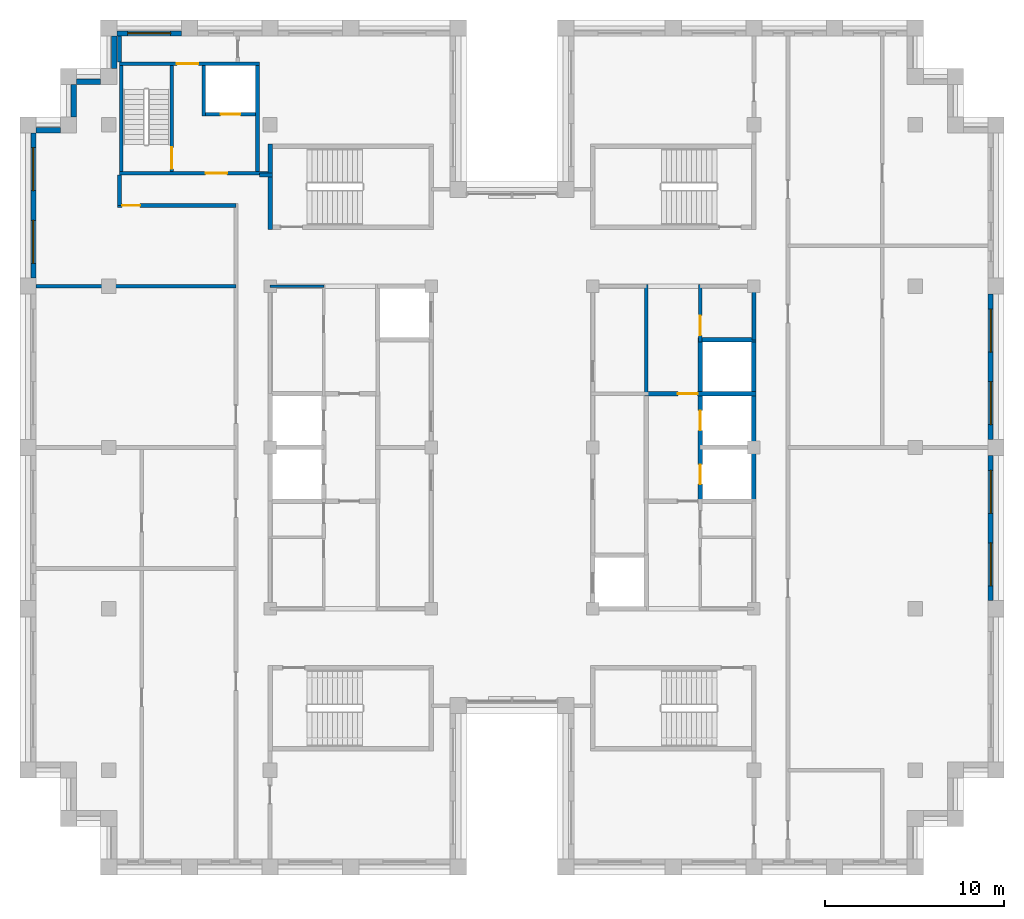
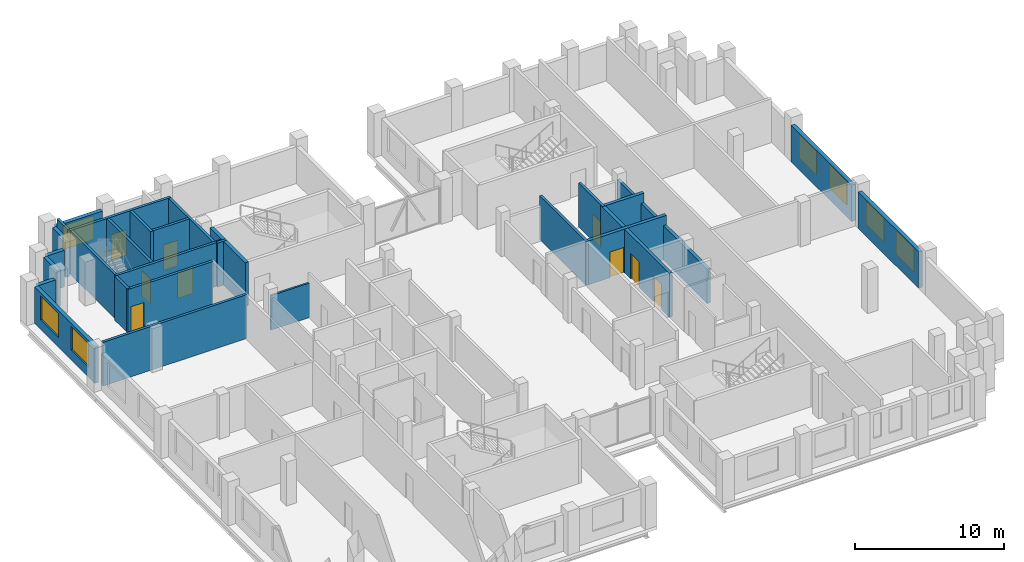
# One storey, part 9 of 13: 29 walls, 9 doors, 7 windows, 16 openings.
"""IFC4 building model written with IfcOpenShell, lengths in metres."""

from ifc_helpers import new_model, si_unit, direction, frame, frame_2d, origin, place, context, subcontext, project, spatial, rectangle, extrude, material, layer, layer_set, type_object, element, fill, save


model = new_model("IFC4")

# Units and contexts
model_context = context("Model", 3, precision=1e-05, world=origin(), true_north=direction((0.0, 1.0)))
body_context = subcontext(model_context, "Body", "Model", "MODEL_VIEW")
ifc_project = project(units=[si_unit("LENGTHUNIT", "METRE"), si_unit("AREAUNIT", "SQUARE_METRE"), si_unit("VOLUMEUNIT", "CUBIC_METRE"), si_unit("PLANEANGLEUNIT", "RADIAN"), si_unit("MASSUNIT", "GRAM", prefix="KILO")], contexts=[model_context])

# Site, building, storey
site_placement = place(None, origin())
site = spatial("IfcSite", under=ifc_project, at=site_placement, CompositionType="ELEMENT")
building_placement = place(site_placement, origin())
building = spatial("IfcBuilding", under=site, at=building_placement, Name="Corbelhall Arena Tower", CompositionType="ELEMENT")
storey_placement = place(building_placement, frame((0.0, 0.0, 316.0)))
storey = spatial("IfcBuildingStorey", under=building, at=storey_placement, Name="L69", CompositionType="ELEMENT", Elevation=316.0)

# Walls
ifc_material_1 = material(Name="Precast concrete C40/50 with granite facing", Category="masonry")
ifc_layer_1 = layer(ifc_material_1, 0.300048828125)
ifc_layer_set_1 = layer_set([ifc_layer_1], Name="EV-IW1 Infill panel 300")
wall_type_1 = type_object("IfcWallType", Name="EV-IW1 Infill panel 300", PredefinedType="SOLIDWALL", material=ifc_layer_set_1)
wall_1_placement = place(storey_placement, frame((-24.449951171875, 20.25, 0.0), z_axis=(0.0, 0.0, 1.0), x_axis=(0.0, -1.0, 0.0)))
element("IfcWall", 1, at=wall_1_placement, inside=storey, type_object=wall_type_1, Name="Infill panel IW1", PredefinedType="SOLIDWALL", context=body_context, shape_type="SweptSolid", body=[
    extrude(rectangle(XDim=1.800048828125, YDim=0.300048828125, at=frame_2d((0.89990234375, 0.0))), origin(), (0.0, 0.0, 1.0), 2.989990234375),
])
wall_2_placement = place(storey_placement, frame((-25.199951171875, 17.699951171875, 0.0), z_axis=(0.0, 0.0, 1.0), x_axis=(-1.0, 0.0, 0.0)))
element("IfcWall", 2, at=wall_2_placement, inside=storey, type_object=wall_type_1, Name="Infill panel IW1", PredefinedType="SOLIDWALL", context=body_context, shape_type="SweptSolid", body=[
    extrude(rectangle(XDim=1.35009765625, YDim=0.300048828125, at=frame_2d((0.675048828125, 0.0))), origin(), (0.0, 0.0, 1.0), 2.989990234375),
])

# Wall, openings, windows
wall_3_placement = place(storey_placement, frame((-26.699951171875, 17.550048828125, 0.0), z_axis=(0.0, 0.0, 1.0), x_axis=(0.0, -1.0, 0.0)))
wall_3 = element("IfcWall", 3, at=wall_3_placement, inside=storey, type_object=wall_type_1, Name="Infill panel IW1", PredefinedType="SOLIDWALL", context=body_context, shape_type="SweptSolid", body=[
    extrude(rectangle(XDim=8.10009765625, YDim=0.300048828125, at=frame_2d((4.050048828125, 0.0))), origin(), (0.0, 0.0, 1.0), 2.989990234375),
])
opening_1_placement = place(wall_3_placement, frame((0.824951171875, 0.0, 0.800048828125)))
opening_1 = element("IfcOpeningElement", 4, at=opening_1_placement, cuts=wall_3, Name="Opening WN1", PredefinedType="OPENING", context=body_context, shape_type="SweptSolid", body=[
    extrude(rectangle(XDim=2.39990234375, YDim=1.949951171875, at=frame_2d((1.199951171875, 0.97509765625))), frame((0.0, 0.14990234375, 0.0), z_axis=(0.0, -1.0, 0.0), x_axis=(1.0, 0.0, 0.0)), (0.0, 0.0, 1.0), 0.300048828125),
])
opening_2_placement = place(wall_3_placement, frame((4.875, 0.0, 0.800048828125)))
opening_2 = element("IfcOpeningElement", 5, at=opening_2_placement, cuts=wall_3, Name="Opening WN1", PredefinedType="OPENING", context=body_context, shape_type="SweptSolid", body=[
    extrude(rectangle(XDim=2.39990234375, YDim=1.949951171875, at=frame_2d((1.199951171875, 0.97509765625))), frame((0.0, 0.14990234375, 0.0), z_axis=(0.0, -1.0, 0.0), x_axis=(1.0, 0.0, 0.0)), (0.0, 0.0, 1.0), 0.300048828125),
])
ifc_material_2 = material(Name="Aluminium black anodised", Category="aluminium")
window_type = type_object("IfcWindowType", Name="EV-WN1 Office window", PartitioningType="SINGLE_PANEL", PredefinedType="WINDOW", material=ifc_material_2)
window_1_placement = place(opening_1_placement, origin())
window_1 = element("IfcWindow", 6, at=window_1_placement, inside=storey, type_object=window_type, Name="Window WN1", OverallHeight=1.949951171875, OverallWidth=2.39990234375, PartitioningType="SINGLE_PANEL", PredefinedType="WINDOW", context=body_context, shape_type="SweptSolid", body=[
    extrude(rectangle(XDim=2.39990234375, YDim=1.949951171875, at=frame_2d((1.199951171875, 0.97509765625))), frame((0.0, 0.030029296875, 0.0), z_axis=(0.0, -1.0, 0.0), x_axis=(1.0, 0.0, 0.0)), (0.0, 0.0, 1.0), 0.06005859375),
])
fill(opening_1, window_1)
window_2_placement = place(opening_2_placement, origin())
window_2 = element("IfcWindow", 7, at=window_2_placement, inside=storey, type_object=window_type, Name="Window WN1", OverallHeight=1.949951171875, OverallWidth=2.39990234375, PartitioningType="SINGLE_PANEL", PredefinedType="WINDOW", context=body_context, shape_type="SweptSolid", body=[
    extrude(rectangle(XDim=2.39990234375, YDim=1.949951171875, at=frame_2d((1.199951171875, 0.97509765625))), frame((0.0, 0.030029296875, 0.0), z_axis=(0.0, -1.0, 0.0), x_axis=(1.0, 0.0, 0.0)), (0.0, 0.0, 1.0), 0.06005859375),
])
fill(opening_2, window_2)

wall_4_placement = place(storey_placement, frame((26.699951171875, -8.550048828125, 0.0), z_axis=(0.0, 0.0, 1.0), x_axis=(0.0, 1.0, 0.0)))
wall_4 = element("IfcWall", 8, at=wall_4_placement, inside=storey, type_object=wall_type_1, Name="Infill panel IW1", PredefinedType="SOLIDWALL", context=body_context, shape_type="SweptSolid", body=[
    extrude(rectangle(XDim=8.10009765625, YDim=0.300048828125, at=frame_2d((4.050048828125, 0.0))), origin(), (0.0, 0.0, 1.0), 2.989990234375),
])
opening_3_placement = place(wall_4_placement, frame((0.824951171875, 0.0, 0.800048828125)))
opening_3 = element("IfcOpeningElement", 9, at=opening_3_placement, cuts=wall_4, Name="Opening WN1", PredefinedType="OPENING", context=body_context, shape_type="SweptSolid", body=[
    extrude(rectangle(XDim=2.39990234375, YDim=1.949951171875, at=frame_2d((1.199951171875, 0.97509765625))), frame((0.0, 0.14990234375, 0.0), z_axis=(0.0, -1.0, 0.0), x_axis=(1.0, 0.0, 0.0)), (0.0, 0.0, 1.0), 0.300048828125),
])
opening_4_placement = place(wall_4_placement, frame((4.875, 0.0, 0.800048828125)))
opening_4 = element("IfcOpeningElement", 10, at=opening_4_placement, cuts=wall_4, Name="Opening WN1", PredefinedType="OPENING", context=body_context, shape_type="SweptSolid", body=[
    extrude(rectangle(XDim=2.39990234375, YDim=1.949951171875, at=frame_2d((1.199951171875, 0.97509765625))), frame((0.0, 0.14990234375, 0.0), z_axis=(0.0, -1.0, 0.0), x_axis=(1.0, 0.0, 0.0)), (0.0, 0.0, 1.0), 0.300048828125),
])
window_3_placement = place(opening_3_placement, origin())
window_3 = element("IfcWindow", 11, at=window_3_placement, inside=storey, type_object=window_type, Name="Window WN1", OverallHeight=1.949951171875, OverallWidth=2.39990234375, PartitioningType="SINGLE_PANEL", PredefinedType="WINDOW", context=body_context, shape_type="SweptSolid", body=[
    extrude(rectangle(XDim=2.39990234375, YDim=1.949951171875, at=frame_2d((1.199951171875, 0.97509765625))), frame((0.0, 0.030029296875, 0.0), z_axis=(0.0, -1.0, 0.0), x_axis=(1.0, 0.0, 0.0)), (0.0, 0.0, 1.0), 0.06005859375),
])
fill(opening_3, window_3)
window_4_placement = place(opening_4_placement, origin())
window_4 = element("IfcWindow", 12, at=window_4_placement, inside=storey, type_object=window_type, Name="Window WN1", OverallHeight=1.949951171875, OverallWidth=2.39990234375, PartitioningType="SINGLE_PANEL", PredefinedType="WINDOW", context=body_context, shape_type="SweptSolid", body=[
    extrude(rectangle(XDim=2.39990234375, YDim=1.949951171875, at=frame_2d((1.199951171875, 0.97509765625))), frame((0.0, 0.030029296875, 0.0), z_axis=(0.0, -1.0, 0.0), x_axis=(1.0, 0.0, 0.0)), (0.0, 0.0, 1.0), 0.06005859375),
])
fill(opening_4, window_4)

wall_5_placement = place(storey_placement, frame((26.699951171875, 0.449951171875, 0.0), z_axis=(0.0, 0.0, 1.0), x_axis=(0.0, 1.0, 0.0)))
wall_5 = element("IfcWall", 13, at=wall_5_placement, inside=storey, type_object=wall_type_1, Name="Infill panel IW1", PredefinedType="SOLIDWALL", context=body_context, shape_type="SweptSolid", body=[
    extrude(rectangle(XDim=8.10009765625, YDim=0.300048828125, at=frame_2d((4.050048828125, 0.0))), origin(), (0.0, 0.0, 1.0), 2.989990234375),
])
opening_5_placement = place(wall_5_placement, frame((0.824951171875, 0.0, 0.800048828125)))
opening_5 = element("IfcOpeningElement", 14, at=opening_5_placement, cuts=wall_5, Name="Opening WN1", PredefinedType="OPENING", context=body_context, shape_type="SweptSolid", body=[
    extrude(rectangle(XDim=2.39990234375, YDim=1.949951171875, at=frame_2d((1.199951171875, 0.97509765625))), frame((0.0, 0.14990234375, 0.0), z_axis=(0.0, -1.0, 0.0), x_axis=(1.0, 0.0, 0.0)), (0.0, 0.0, 1.0), 0.300048828125),
])
opening_6_placement = place(wall_5_placement, frame((4.875, 0.0, 0.800048828125)))
opening_6 = element("IfcOpeningElement", 15, at=opening_6_placement, cuts=wall_5, Name="Opening WN1", PredefinedType="OPENING", context=body_context, shape_type="SweptSolid", body=[
    extrude(rectangle(XDim=2.39990234375, YDim=1.949951171875, at=frame_2d((1.199951171875, 0.97509765625))), frame((0.0, 0.14990234375, 0.0), z_axis=(0.0, -1.0, 0.0), x_axis=(1.0, 0.0, 0.0)), (0.0, 0.0, 1.0), 0.300048828125),
])
window_5_placement = place(opening_5_placement, origin())
window_5 = element("IfcWindow", 16, at=window_5_placement, inside=storey, type_object=window_type, Name="Window WN1", OverallHeight=1.949951171875, OverallWidth=2.39990234375, PartitioningType="SINGLE_PANEL", PredefinedType="WINDOW", context=body_context, shape_type="SweptSolid", body=[
    extrude(rectangle(XDim=2.39990234375, YDim=1.949951171875, at=frame_2d((1.199951171875, 0.97509765625))), frame((0.0, 0.030029296875, 0.0), z_axis=(0.0, -1.0, 0.0), x_axis=(1.0, 0.0, 0.0)), (0.0, 0.0, 1.0), 0.06005859375),
])
fill(opening_5, window_5)
window_6_placement = place(opening_6_placement, origin())
window_6 = element("IfcWindow", 17, at=window_6_placement, inside=storey, type_object=window_type, Name="Window WN1", OverallHeight=1.949951171875, OverallWidth=2.39990234375, PartitioningType="SINGLE_PANEL", PredefinedType="WINDOW", context=body_context, shape_type="SweptSolid", body=[
    extrude(rectangle(XDim=2.39990234375, YDim=1.949951171875, at=frame_2d((1.199951171875, 0.97509765625))), frame((0.0, 0.030029296875, 0.0), z_axis=(0.0, -1.0, 0.0), x_axis=(1.0, 0.0, 0.0)), (0.0, 0.0, 1.0), 0.06005859375),
])
fill(opening_6, window_6)

# Wall, opening, window
wall_6_placement = place(storey_placement, frame((-18.449951171875, 23.10009765625, 0.0), z_axis=(0.0, 0.0, 1.0), x_axis=(-1.0, 0.0, 0.0)))
wall_6 = element("IfcWall", 18, at=wall_6_placement, inside=storey, type_object=wall_type_1, Name="Infill panel IW1", PredefinedType="SOLIDWALL", context=body_context, shape_type="SweptSolid", body=[
    extrude(rectangle(XDim=3.60009765625, YDim=0.300048828125, at=frame_2d((1.800048828125, 0.0))), origin(), (0.0, 0.0, 1.0), 2.989990234375),
])
opening_7_placement = place(wall_6_placement, frame((0.60009765625, 0.0, 0.800048828125)))
opening_7 = element("IfcOpeningElement", 19, at=opening_7_placement, cuts=wall_6, Name="Opening WN1", PredefinedType="OPENING", context=body_context, shape_type="SweptSolid", body=[
    extrude(rectangle(XDim=2.39990234375, YDim=1.949951171875, at=frame_2d((1.199951171875, 0.97509765625))), frame((0.0, 0.14990234375, 0.0), z_axis=(0.0, -1.0, 0.0), x_axis=(1.0, 0.0, 0.0)), (0.0, 0.0, 1.0), 0.300048828125),
])
window_7_placement = place(opening_7_placement, origin())
window_7 = element("IfcWindow", 20, at=window_7_placement, inside=storey, type_object=window_type, Name="Window WN1", OverallHeight=1.949951171875, OverallWidth=2.39990234375, PartitioningType="SINGLE_PANEL", PredefinedType="WINDOW", context=body_context, shape_type="SweptSolid", body=[
    extrude(rectangle(XDim=2.39990234375, YDim=1.949951171875, at=frame_2d((1.199951171875, 0.97509765625))), frame((0.0, 0.030029296875, 0.0), z_axis=(0.0, -1.0, 0.0), x_axis=(1.0, 0.0, 0.0)), (0.0, 0.0, 1.0), 0.06005859375),
])
fill(opening_7, window_7)

# Walls
wall_7_placement = place(storey_placement, frame((-22.199951171875, 22.949951171875, 0.0), z_axis=(0.0, 0.0, 1.0), x_axis=(0.0, -1.0, 0.0)))
element("IfcWall", 21, at=wall_7_placement, inside=storey, type_object=wall_type_1, Name="Infill panel IW1", PredefinedType="SOLIDWALL", context=body_context, shape_type="SweptSolid", body=[
    extrude(rectangle(XDim=1.800048828125, YDim=0.300048828125, at=frame_2d((0.89990234375, 0.0))), origin(), (0.0, 0.0, 1.0), 2.989990234375),
])
wall_8_placement = place(storey_placement, frame((-22.949951171875, 20.39990234375, 0.0), z_axis=(0.0, 0.0, 1.0), x_axis=(-1.0, 0.0, 0.0)))
element("IfcWall", 22, at=wall_8_placement, inside=storey, type_object=wall_type_1, Name="Infill panel IW1", PredefinedType="SOLIDWALL", context=body_context, shape_type="SweptSolid", body=[
    extrude(rectangle(XDim=1.35009765625, YDim=0.300048828125, at=frame_2d((0.675048828125, 0.0))), origin(), (0.0, 0.0, 1.0), 2.989990234375),
])
ifc_material_3 = material(Name="Gypsum board on steel stud, acoustic", Category="steel")
ifc_layer_2 = layer(ifc_material_3, 0.199951171875)
ifc_layer_set_2 = layer_set([ifc_layer_2], Name="IN-W-DM200")
wall_type_2 = type_object("IfcWallType", Name="IN-W-DM200", PredefinedType="PARTITIONING", material=ifc_layer_set_2)
wall_9_placement = place(storey_placement, frame((-26.550048828125, 9.0, 0.0), z_axis=(0.0, 0.0, 1.0), x_axis=(1.0, 0.0, 0.0)))
element("IfcWall", 23, at=wall_9_placement, inside=storey, type_object=wall_type_2, Name="Partition 002", PredefinedType="PARTITIONING", context=body_context, shape_type="SweptSolid", body=[
    extrude(rectangle(XDim=11.150146484375, YDim=0.199951171875, at=frame_2d((5.5751953125, 0.0))), origin(), (0.0, 0.0, 1.0), 3.590087890625),
])
wall_10_placement = place(storey_placement, frame((-21.89990234375, 13.5, 0.0), z_axis=(0.0, 0.0, 1.0), x_axis=(0.0, 1.0, 0.0)))
element("IfcWall", 24, at=wall_10_placement, inside=storey, type_object=wall_type_2, Name="Partition 003", PredefinedType="PARTITIONING", context=body_context, shape_type="SweptSolid", body=[
    extrude(rectangle(XDim=1.699951171875, YDim=0.199951171875, at=frame_2d((0.85009765625, 0.0))), origin(), (0.0, 0.0, 1.0), 3.590087890625),
])
wall_11_placement = place(storey_placement, frame((-21.89990234375, 21.5, 0.0), z_axis=(0.0, 0.0, 1.0), x_axis=(0.0, 1.0, 0.0)))
element("IfcWall", 25, at=wall_11_placement, inside=storey, type_object=wall_type_2, Name="Partition 004", PredefinedType="PARTITIONING", context=body_context, shape_type="SweptSolid", body=[
    extrude(rectangle(XDim=1.449951171875, YDim=0.199951171875, at=frame_2d((0.72509765625, 0.0))), origin(), (0.0, 0.0, 1.0), 3.590087890625),
])

# Wall, opening, door
wall_12_placement = place(storey_placement, frame((-15.39990234375, 13.5, 0.0), z_axis=(0.0, 0.0, 1.0), x_axis=(-1.0, 0.0, 0.0)))
wall_12 = element("IfcWall", 26, at=wall_12_placement, inside=storey, type_object=wall_type_2, Name="Partition 008", PredefinedType="PARTITIONING", context=body_context, shape_type="SweptSolid", body=[
    extrude(rectangle(XDim=6.60009765625, YDim=0.199951171875, at=frame_2d((3.300048828125, 0.0))), origin(), (0.0, 0.0, 1.0), 3.590087890625),
])
opening_8_placement = place(wall_12_placement, frame((5.35009765625, 0.0, 0.0)))
opening_8 = element("IfcOpeningElement", 27, at=opening_8_placement, cuts=wall_12, Name="Opening 22022", PredefinedType="OPENING", context=body_context, shape_type="SweptSolid", body=[
    extrude(rectangle(XDim=1.0, YDim=2.10009765625, at=frame_2d((0.5, 1.050048828125))), frame((0.0, 0.10009765625, 0.0), z_axis=(0.0, -1.0, 0.0), x_axis=(1.0, 0.0, 0.0)), (0.0, 0.0, 1.0), 0.199951171875),
])
ifc_material_4 = material(Name="Steel door set", Category="steel")
door_type_1 = type_object("IfcDoorType", Name="IN-D-SW100", OperationType="NOTDEFINED", PredefinedType="DOOR", material=ifc_material_4)
door_1_placement = place(opening_8_placement, origin())
door_1 = element("IfcDoor", 28, at=door_1_placement, inside=storey, type_object=door_type_1, Name="Door 022", OperationType="SINGLE_SWING_LEFT", OverallHeight=2.10009765625, OverallWidth=1.0, PredefinedType="DOOR", context=body_context, shape_type="SweptSolid", body=[
    extrude(rectangle(XDim=1.0, YDim=2.10009765625, at=frame_2d((0.5, 1.050048828125))), frame((0.0, 0.02490234375, 0.0), z_axis=(0.0, -1.0, 0.0), x_axis=(1.0, 0.0, 0.0)), (0.0, 0.0, 1.0), 0.050048828125),
])
fill(opening_8, door_1)

# Wall
wall_13_placement = place(storey_placement, frame((-14.10009765625, 15.199951171875, 0.0), z_axis=(0.0, 0.0, 1.0), x_axis=(1.0, 0.0, 0.0)))
element("IfcWall", 29, at=wall_13_placement, inside=storey, type_object=wall_type_2, Name="Partition 010", PredefinedType="PARTITIONING", context=body_context, shape_type="SweptSolid", body=[
    extrude(rectangle(XDim=0.72509765625, YDim=0.199951171875, at=frame_2d((0.362548828125, 0.0))), origin(), (0.0, 0.0, 1.0), 3.590087890625),
])

# Wall, opening, door
ifc_material_5 = material(Name="Concrete C40/50", Category="concrete")
ifc_layer_3 = layer(ifc_material_5, 0.199951171875)
ifc_layer_set_3 = layer_set([ifc_layer_3], Name="IN-W-EAR200")
wall_type_3 = type_object("IfcWallType", Name="IN-W-EAR200", PredefinedType="SOLIDWALL", material=ifc_layer_set_3)
wall_14_placement = place(storey_placement, frame((-21.89990234375, 15.300048828125, 0.0), z_axis=(0.0, 0.0, 1.0), x_axis=(1.0, 0.0, 0.0)))
wall_14 = element("IfcWall", 30, at=wall_14_placement, inside=storey, type_object=wall_type_3, Name="Fire service turret wall south", PredefinedType="SOLIDWALL", context=body_context, shape_type="SweptSolid", body=[
    extrude(rectangle(XDim=8.27490234375, YDim=0.199951171875, at=frame_2d((4.137451171875, 0.0))), origin(), (0.0, 0.0, 1.0), 3.590087890625),
])
opening_9_placement = place(wall_14_placement, frame((4.800048828125, 0.0, 0.0)))
opening_9 = element("IfcOpeningElement", 31, at=opening_9_placement, cuts=wall_14, Name="Opening E222", PredefinedType="OPENING", context=body_context, shape_type="SweptSolid", body=[
    extrude(rectangle(XDim=1.199951171875, YDim=2.10009765625, at=frame_2d((0.60009765625, 1.050048828125))), frame((0.0, 0.10009765625, 0.0), z_axis=(0.0, -1.0, 0.0), x_axis=(1.0, 0.0, 0.0)), (0.0, 0.0, 1.0), 0.199951171875),
])
door_type_2 = type_object("IfcDoorType", Name="IN-D-ST120", OperationType="NOTDEFINED", PredefinedType="DOOR", material=ifc_material_4)
door_2_placement = place(opening_9_placement, origin())
door_2 = element("IfcDoor", 32, at=door_2_placement, inside=storey, type_object=door_type_2, Name="Door from fire service lift lobby to circulation", OperationType="SINGLE_SWING_RIGHT", OverallHeight=2.10009765625, OverallWidth=1.199951171875, PredefinedType="DOOR", context=body_context, shape_type="SweptSolid", body=[
    extrude(rectangle(XDim=1.199951171875, YDim=2.10009765625, at=frame_2d((0.60009765625, 1.050048828125))), frame((0.0, 0.02490234375, 0.0), z_axis=(0.0, -1.0, 0.0), x_axis=(1.0, 0.0, 0.0)), (0.0, 0.0, 1.0), 0.050048828125),
])
fill(opening_9, door_2)

wall_15_placement = place(storey_placement, frame((-21.89990234375, 21.39990234375, 0.0), z_axis=(0.0, 0.0, 1.0), x_axis=(1.0, 0.0, 0.0)))
wall_15 = element("IfcWall", 33, at=wall_15_placement, inside=storey, type_object=wall_type_3, Name="Fire service turret wall north", PredefinedType="SOLIDWALL", context=body_context, shape_type="SweptSolid", body=[
    extrude(rectangle(XDim=7.7998046875, YDim=0.199951171875, at=frame_2d((3.89990234375, 0.0))), origin(), (0.0, 0.0, 1.0), 3.590087890625),
])
opening_10_placement = place(wall_15_placement, frame((3.199951171875, 0.0, 0.0)))
opening_10 = element("IfcOpeningElement", 34, at=opening_10_placement, cuts=wall_15, Name="Opening E223", PredefinedType="OPENING", context=body_context, shape_type="SweptSolid", body=[
    extrude(rectangle(XDim=1.199951171875, YDim=2.10009765625, at=frame_2d((0.60009765625, 1.050048828125))), frame((0.0, 0.10009765625, 0.0), z_axis=(0.0, -1.0, 0.0), x_axis=(1.0, 0.0, 0.0)), (0.0, 0.0, 1.0), 0.199951171875),
])
door_3_placement = place(opening_10_placement, origin())
door_3 = element("IfcDoor", 35, at=door_3_placement, inside=storey, type_object=door_type_2, Name="Door from fire service lift lobby to the north gallery", OperationType="SINGLE_SWING_LEFT", OverallHeight=2.10009765625, OverallWidth=1.199951171875, PredefinedType="DOOR", context=body_context, shape_type="SweptSolid", body=[
    extrude(rectangle(XDim=1.199951171875, YDim=2.10009765625, at=frame_2d((0.60009765625, 1.050048828125))), frame((0.0, 0.02490234375, 0.0), z_axis=(0.0, -1.0, 0.0), x_axis=(1.0, 0.0, 0.0)), (0.0, 0.0, 1.0), 0.050048828125),
])
fill(opening_10, door_3)

# Walls
for number, where, z_axis, x_axis, name in (
    (36, (-21.800048828125, 15.39990234375, 0.0), (0.0, 0.0, 1.0), (0.0, 1.0, 0.0), "Fire service turret wall west"),
    (37, (-14.199951171875, 15.39990234375, 0.0), (0.0, 0.0, 1.0), (0.0, 1.0, 0.0), "Fire service turret wall east"),
):
    element("IfcWall", number, at=place(storey_placement, frame(where, z_axis=z_axis, x_axis=x_axis)), inside=storey, type_object=wall_type_3, Name=name, PredefinedType="SOLIDWALL", context=body_context, shape_type="SweptSolid", body=[
        extrude(rectangle(XDim=5.900146484375, YDim=0.199951171875, at=frame_2d((2.9501953125, 0.0))), origin(), (0.0, 0.0, 1.0), 3.590087890625),
    ])

# Wall, opening, door
wall_16_placement = place(storey_placement, frame((-18.989990234375, 15.39990234375, 0.0), z_axis=(0.0, 0.0, 1.0), x_axis=(0.0, 1.0, 0.0)))
wall_16 = element("IfcWall", 38, at=wall_16_placement, inside=storey, type_object=wall_type_3, Name="Fire service turret wall stair", PredefinedType="SOLIDWALL", context=body_context, shape_type="SweptSolid", body=[
    extrude(rectangle(XDim=5.900146484375, YDim=0.199951171875, at=frame_2d((2.9501953125, 0.0))), origin(), (0.0, 0.0, 1.0), 3.590087890625),
])
opening_11_placement = place(wall_16_placement, frame((0.14990234375, 0.0, 0.0)))
opening_11 = element("IfcOpeningElement", 39, at=opening_11_placement, cuts=wall_16, Name="Opening E221", PredefinedType="OPENING", context=body_context, shape_type="SweptSolid", body=[
    extrude(rectangle(XDim=1.199951171875, YDim=2.10009765625, at=frame_2d((0.60009765625, 1.050048828125))), frame((0.0, 0.10009765625, 0.0), z_axis=(0.0, -1.0, 0.0), x_axis=(1.0, 0.0, 0.0)), (0.0, 0.0, 1.0), 0.199951171875),
])
door_4_placement = place(opening_11_placement, origin())
door_4 = element("IfcDoor", 40, at=door_4_placement, inside=storey, type_object=door_type_2, Name="Stair door to fire service lobby", OperationType="SINGLE_SWING_LEFT", OverallHeight=2.10009765625, OverallWidth=1.199951171875, PredefinedType="DOOR", context=body_context, shape_type="SweptSolid", body=[
    extrude(rectangle(XDim=1.199951171875, YDim=2.10009765625, at=frame_2d((0.60009765625, 1.050048828125))), frame((0.0, 0.02490234375, 0.0), z_axis=(0.0, -1.0, 0.0), x_axis=(1.0, 0.0, 0.0)), (0.0, 0.0, 1.0), 0.050048828125),
])
fill(opening_11, door_4)

# Wall
wall_17_placement = place(storey_placement, frame((-17.199951171875, 18.5, 0.0), z_axis=(0.0, 0.0, 1.0), x_axis=(0.0, 1.0, 0.0)))
element("IfcWall", 41, at=wall_17_placement, inside=storey, type_object=wall_type_3, Name="Fire service turret wall hoistway west", PredefinedType="SOLIDWALL", context=body_context, shape_type="SweptSolid", body=[
    extrude(rectangle(XDim=2.800048828125, YDim=0.199951171875, at=frame_2d((1.39990234375, 0.0))), origin(), (0.0, 0.0, 1.0), 3.590087890625),
])

# Wall, opening, door
wall_18_placement = place(storey_placement, frame((-17.10009765625, 18.60009765625, 0.0), z_axis=(0.0, 0.0, 1.0), x_axis=(1.0, 0.0, 0.0)))
wall_18 = element("IfcWall", 42, at=wall_18_placement, inside=storey, type_object=wall_type_3, Name="Fire service turret wall hoistway south", PredefinedType="SOLIDWALL", context=body_context, shape_type="SweptSolid", body=[
    extrude(rectangle(XDim=2.800048828125, YDim=0.199951171875, at=frame_2d((1.39990234375, 0.0))), origin(), (0.0, 0.0, 1.0), 3.590087890625),
])
opening_12_placement = place(wall_18_placement, frame((0.85009765625, 0.0, 0.0)))
opening_12 = element("IfcOpeningElement", 43, at=opening_12_placement, cuts=wall_18, Name="Opening LD", PredefinedType="OPENING", context=body_context, shape_type="SweptSolid", body=[
    extrude(rectangle(XDim=1.10009765625, YDim=2.10009765625, at=frame_2d((0.550048828125, 1.050048828125))), frame((0.0, 0.10009765625, 0.0), z_axis=(0.0, -1.0, 0.0), x_axis=(1.0, 0.0, 0.0)), (0.0, 0.0, 1.0), 0.199951171875),
])
door_type_3 = type_object("IfcDoorType", Name="IN-D-LD110", OperationType="NOTDEFINED", PredefinedType="DOOR", material=ifc_material_4)
door_5_placement = place(opening_12_placement, origin())
door_5 = element("IfcDoor", 44, at=door_5_placement, inside=storey, type_object=door_type_3, Name="Landing door FS1", OperationType="SLIDING_TO_LEFT", OverallHeight=2.10009765625, OverallWidth=1.10009765625, PredefinedType="DOOR", context=body_context, shape_type="SweptSolid", body=[
    extrude(rectangle(XDim=1.10009765625, YDim=2.10009765625, at=frame_2d((0.550048828125, 1.050048828125))), frame((0.0, 0.02490234375, 0.0), z_axis=(0.0, -1.0, 0.0), x_axis=(1.0, 0.0, 0.0)), (0.0, 0.0, 1.0), 0.050048828125),
])
fill(opening_12, door_5)

# Wall
ifc_material_6 = material(Name="Concrete block wall", Category="concrete")
ifc_layer_4 = layer(ifc_material_6, 0.199951171875)
ifc_layer_set_4 = layer_set([ifc_layer_4], Name="IN-W-RS200")
wall_type_4 = type_object("IfcWallType", Name="IN-W-RS200", PredefinedType="SOLIDWALL", material=ifc_layer_set_4)
wall_19_placement = place(storey_placement, frame((7.5, 9.10009765625, 0.0), z_axis=(0.0, 0.0, 1.0), x_axis=(0.0, -1.0, 0.0)))
element("IfcWall", 45, at=wall_19_placement, inside=storey, type_object=wall_type_4, Name="Partition 035", PredefinedType="SOLIDWALL", context=body_context, shape_type="SweptSolid", body=[
    extrude(rectangle(XDim=6.22509765625, YDim=0.199951171875, at=frame_2d((3.112548828125, 0.0))), origin(), (0.0, 0.0, 1.0), 3.590087890625),
])

# Wall, opening, door
wall_20_placement = place(storey_placement, frame((10.5, 9.10009765625, 0.0), z_axis=(0.0, 0.0, 1.0), x_axis=(0.0, -1.0, 0.0)))
wall_20 = element("IfcWall", 46, at=wall_20_placement, inside=storey, type_object=wall_type_4, Name="Partition 038", PredefinedType="SOLIDWALL", context=body_context, shape_type="SweptSolid", body=[
    extrude(rectangle(XDim=3.22509765625, YDim=0.199951171875, at=frame_2d((1.612548828125, 0.0))), origin(), (0.0, 0.0, 1.0), 3.590087890625),
])
opening_13_placement = place(wall_20_placement, frame((1.75, 0.0, 0.0)))
opening_13 = element("IfcOpeningElement", 47, at=opening_13_placement, cuts=wall_20, Name="Opening 22013", PredefinedType="OPENING", context=body_context, shape_type="SweptSolid", body=[
    extrude(rectangle(XDim=1.10009765625, YDim=2.10009765625, at=frame_2d((0.550048828125, 1.050048828125))), frame((0.0, 0.10009765625, 0.0), z_axis=(0.0, -1.0, 0.0), x_axis=(1.0, 0.0, 0.0)), (0.0, 0.0, 1.0), 0.199951171875),
])
door_type_4 = type_object("IfcDoorType", Name="IN-D-FD110", OperationType="NOTDEFINED", PredefinedType="DOOR", material=ifc_material_4)
door_6_placement = place(opening_13_placement, origin())
door_6 = element("IfcDoor", 48, at=door_6_placement, inside=storey, type_object=door_type_4, Name="Door 013", OperationType="SINGLE_SWING_RIGHT", OverallHeight=2.10009765625, OverallWidth=1.10009765625, PredefinedType="DOOR", context=body_context, shape_type="SweptSolid", body=[
    extrude(rectangle(XDim=1.10009765625, YDim=2.10009765625, at=frame_2d((0.550048828125, 1.050048828125))), frame((0.0, 0.02490234375, 0.0), z_axis=(0.0, -1.0, 0.0), x_axis=(1.0, 0.0, 0.0)), (0.0, 0.0, 1.0), 0.050048828125),
])
fill(opening_13, door_6)

# Wall
ifc_layer_5 = layer(ifc_material_6, 0.199951171875)
ifc_layer_set_5 = layer_set([ifc_layer_5], Name="IN-W-RS200 under beam 762 mm")
wall_type_5 = type_object("IfcWallType", Name="IN-W-RS200 under beam 762 mm", PredefinedType="SOLIDWALL", material=ifc_layer_set_5)
wall_21_placement = place(storey_placement, frame((13.5, 9.10009765625, 0.0), z_axis=(0.0, 0.0, 1.0), x_axis=(0.0, -1.0, 0.0)))
element("IfcWall", 49, at=wall_21_placement, inside=storey, type_object=wall_type_5, Name="Partition 040", PredefinedType="SOLIDWALL", context=body_context, shape_type="SweptSolid", body=[
    extrude(rectangle(XDim=3.10009765625, YDim=0.199951171875, at=frame_2d((1.550048828125, 0.0))), origin(), (0.0, 0.0, 1.0), 2.827880859375),
])

# Wall, opening, door
ifc_layer_6 = layer(ifc_material_5, 0.25)
ifc_layer_set_6 = layer_set([ifc_layer_6], Name="IN-W-SH250")
wall_type_6 = type_object("IfcWallType", Name="IN-W-SH250", PredefinedType="SOLIDWALL", material=ifc_layer_set_6)
wall_22_placement = place(storey_placement, frame((7.5, 3.0, 0.0), z_axis=(0.0, 0.0, 1.0), x_axis=(1.0, 0.0, 0.0)))
wall_22 = element("IfcWall", 50, at=wall_22_placement, inside=storey, type_object=wall_type_6, Name="Shaft wall 056", PredefinedType="SOLIDWALL", context=body_context, shape_type="SweptSolid", body=[
    extrude(rectangle(XDim=6.125, YDim=0.25, at=frame_2d((3.0625, 0.0))), origin(), (0.0, 0.0, 1.0), 3.590087890625),
])
opening_14_placement = place(wall_22_placement, frame((1.75, 0.0, 0.0)))
opening_14 = element("IfcOpeningElement", 51, at=opening_14_placement, cuts=wall_22, Name="Opening 22011", PredefinedType="OPENING", context=body_context, shape_type="SweptSolid", body=[
    extrude(rectangle(XDim=1.10009765625, YDim=2.10009765625, at=frame_2d((0.550048828125, 1.050048828125))), frame((0.0, 0.125, 0.0), z_axis=(0.0, -1.0, 0.0), x_axis=(1.0, 0.0, 0.0)), (0.0, 0.0, 1.0), 0.25),
])
door_7_placement = place(opening_14_placement, origin())
door_7 = element("IfcDoor", 52, at=door_7_placement, inside=storey, type_object=door_type_4, Name="Door 011", OperationType="SINGLE_SWING_RIGHT", OverallHeight=2.10009765625, OverallWidth=1.10009765625, PredefinedType="DOOR", context=body_context, shape_type="SweptSolid", body=[
    extrude(rectangle(XDim=1.10009765625, YDim=2.10009765625, at=frame_2d((0.550048828125, 1.050048828125))), frame((0.0, 0.02490234375, 0.0), z_axis=(0.0, -1.0, 0.0), x_axis=(1.0, 0.0, 0.0)), (0.0, 0.0, 1.0), 0.050048828125),
])
fill(opening_14, door_7)

# Wall, openings, doors
wall_23_placement = place(storey_placement, frame((10.5, 6.125, 0.0), z_axis=(0.0, 0.0, 1.0), x_axis=(0.0, -1.0, 0.0)))
wall_23 = element("IfcWall", 53, at=wall_23_placement, inside=storey, type_object=wall_type_6, Name="Shaft wall 059", PredefinedType="SOLIDWALL", context=body_context, shape_type="SweptSolid", body=[
    extrude(rectangle(XDim=9.25, YDim=0.25, at=frame_2d((4.625, 0.0))), origin(), (0.0, 0.0, 1.0), 3.590087890625),
])
opening_15_placement = place(wall_23_placement, frame((7.074951171875, 0.0, 0.0)))
opening_15 = element("IfcOpeningElement", 54, at=opening_15_placement, cuts=wall_23, Name="Opening LD", PredefinedType="OPENING", context=body_context, shape_type="SweptSolid", body=[
    extrude(rectangle(XDim=1.10009765625, YDim=2.10009765625, at=frame_2d((0.550048828125, 1.050048828125))), frame((0.0, 0.125, 0.0), z_axis=(0.0, -1.0, 0.0), x_axis=(1.0, 0.0, 0.0)), (0.0, 0.0, 1.0), 0.25),
])
opening_16_placement = place(wall_23_placement, frame((4.074951171875, 0.0, 0.0)))
opening_16 = element("IfcOpeningElement", 55, at=opening_16_placement, cuts=wall_23, Name="Opening LD", PredefinedType="OPENING", context=body_context, shape_type="SweptSolid", body=[
    extrude(rectangle(XDim=1.10009765625, YDim=2.10009765625, at=frame_2d((0.550048828125, 1.050048828125))), frame((0.0, 0.125, 0.0), z_axis=(0.0, -1.0, 0.0), x_axis=(1.0, 0.0, 0.0)), (0.0, 0.0, 1.0), 0.25),
])
door_8_placement = place(opening_15_placement, origin())
door_8 = element("IfcDoor", 56, at=door_8_placement, inside=storey, type_object=door_type_3, Name="Landing door E3", OperationType="SLIDING_TO_LEFT", OverallHeight=2.10009765625, OverallWidth=1.10009765625, PredefinedType="DOOR", context=body_context, shape_type="SweptSolid", body=[
    extrude(rectangle(XDim=1.10009765625, YDim=2.10009765625, at=frame_2d((0.550048828125, 1.050048828125))), frame((0.0, 0.02490234375, 0.0), z_axis=(0.0, -1.0, 0.0), x_axis=(1.0, 0.0, 0.0)), (0.0, 0.0, 1.0), 0.050048828125),
])
fill(opening_15, door_8)
door_9_placement = place(opening_16_placement, origin())
door_9 = element("IfcDoor", 57, at=door_9_placement, inside=storey, type_object=door_type_3, Name="Landing door E4", OperationType="SLIDING_TO_LEFT", OverallHeight=2.10009765625, OverallWidth=1.10009765625, PredefinedType="DOOR", context=body_context, shape_type="SweptSolid", body=[
    extrude(rectangle(XDim=1.10009765625, YDim=2.10009765625, at=frame_2d((0.550048828125, 1.050048828125))), frame((0.0, 0.02490234375, 0.0), z_axis=(0.0, -1.0, 0.0), x_axis=(1.0, 0.0, 0.0)), (0.0, 0.0, 1.0), 0.050048828125),
])
fill(opening_16, door_9)

# Walls
wall_24_placement = place(storey_placement, frame((10.5, 6.0, 0.0), z_axis=(0.0, 0.0, 1.0), x_axis=(1.0, 0.0, 0.0)))
element("IfcWall", 58, at=wall_24_placement, inside=storey, type_object=wall_type_6, Name="Shaft wall 060", PredefinedType="SOLIDWALL", context=body_context, shape_type="SweptSolid", body=[
    extrude(rectangle(XDim=3.125, YDim=0.25, at=frame_2d((1.5625, 0.0))), origin(), (0.0, 0.0, 1.0), 3.590087890625),
])
ifc_layer_7 = layer(ifc_material_5, 0.25)
ifc_layer_set_7 = layer_set([ifc_layer_7], Name="IN-W-SH250 under beam 762 mm")
wall_type_7 = type_object("IfcWallType", Name="IN-W-SH250 under beam 762 mm", PredefinedType="SOLIDWALL", material=ifc_layer_set_7)
wall_25_placement = place(storey_placement, frame((13.5, 6.0, 0.0), z_axis=(0.0, 0.0, 1.0), x_axis=(0.0, -1.0, 0.0)))
element("IfcWall", 59, at=wall_25_placement, inside=storey, type_object=wall_type_7, Name="Shaft wall 061", PredefinedType="SOLIDWALL", context=body_context, shape_type="SweptSolid", body=[
    extrude(rectangle(XDim=9.0, YDim=0.25, at=frame_2d((4.5, 0.0))), origin(), (0.0, 0.0, 1.0), 2.827880859375),
])
ifc_layer_8 = layer(ifc_material_5, 0.25)
ifc_layer_set_8 = layer_set([ifc_layer_8], Name="IN-W-ST250")
wall_type_8 = type_object("IfcWallType", Name="IN-W-ST250", PredefinedType="SOLIDWALL", material=ifc_layer_set_8)
wall_26_placement = place(storey_placement, frame((-13.5, 12.175048828125, 0.0), z_axis=(0.0, 0.0, 1.0), x_axis=(0.0, 1.0, 0.0)))
element("IfcWall", 60, at=wall_26_placement, inside=storey, type_object=wall_type_8, Name="Shaft wall 064", PredefinedType="SOLIDWALL", context=body_context, shape_type="SweptSolid", body=[
    extrude(rectangle(XDim=4.75, YDim=0.25, at=frame_2d((2.375, 0.0))), origin(), (0.0, 0.0, 1.0), 3.590087890625),
])
ifc_material_7 = material(Name="Gypsum board on steel stud, moisture resistant", Category="steel")
ifc_layer_9 = layer(ifc_material_7, 0.14990234375)
ifc_layer_set_9 = layer_set([ifc_layer_9], Name="IN-W-WC150 under beam 762 mm")
wall_type_9 = type_object("IfcWallType", Name="IN-W-WC150 under beam 762 mm", PredefinedType="PARTITIONING", material=ifc_layer_set_9)
wall_27_placement = place(storey_placement, frame((-13.5, 9.0, 0.0), z_axis=(0.0, 0.0, 1.0), x_axis=(1.0, 0.0, 0.0)))
element("IfcWall", 61, at=wall_27_placement, inside=storey, type_object=wall_type_9, Name="Partition 081", PredefinedType="PARTITIONING", context=body_context, shape_type="SweptSolid", body=[
    extrude(rectangle(XDim=3.0, YDim=0.14990234375, at=frame_2d((1.5, 0.0))), origin(), (0.0, 0.0, 1.0), 2.827880859375),
])

save(model, "model.ifc")
